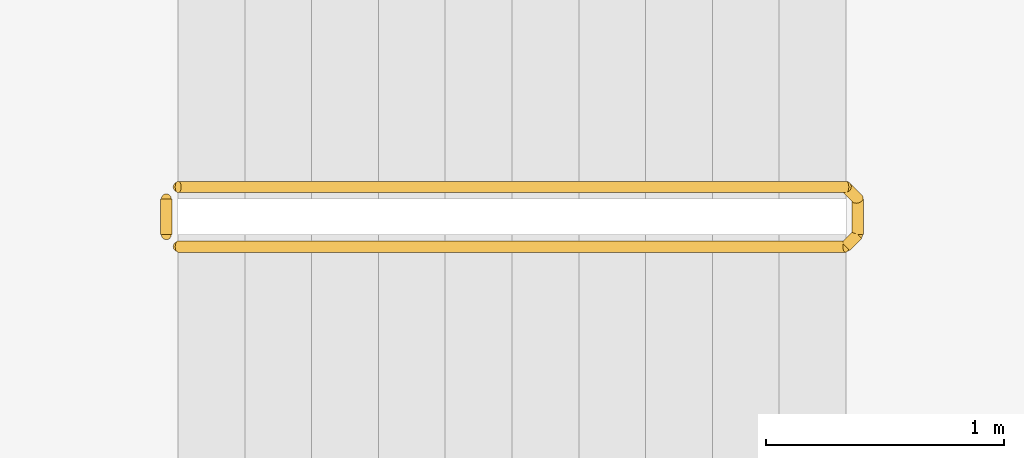
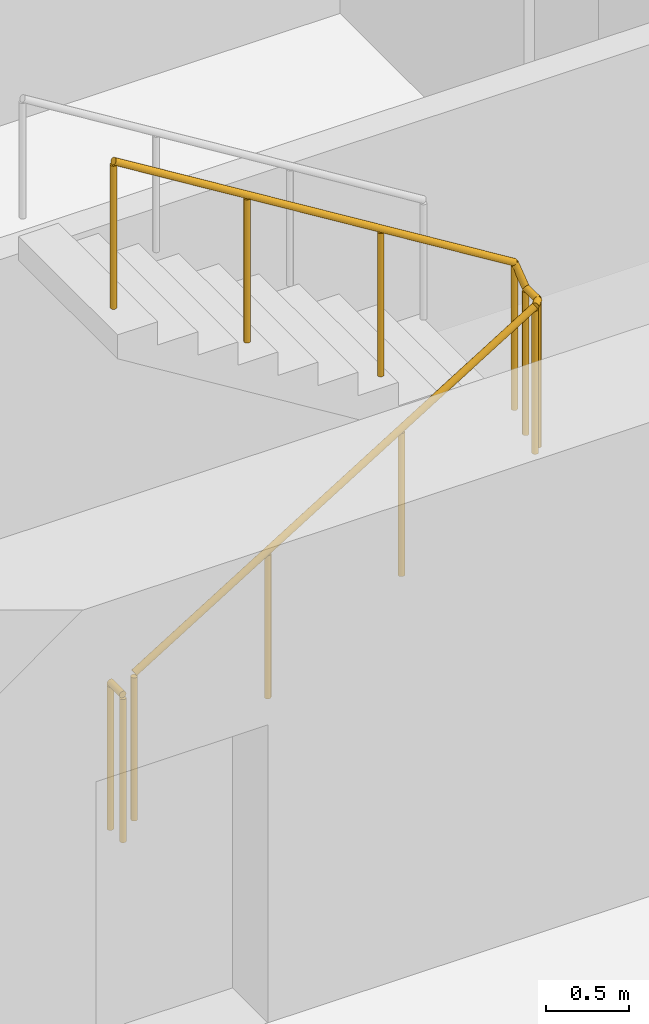
# One storey, part 10 of 14: 2 railings.
"""IFC4 building model written with IfcOpenShell, lengths in metres."""

from ifc_helpers import new_model, si_unit, direction, frame, origin, origin_2d, place, context, subcontext, project, spatial, circle, extrude, material, type_object, element, save


model = new_model("IFC4")

# Units and contexts
model_context = context("Model", 3, precision=1e-05, world=origin(), true_north=direction((0.0, 1.0)))
body_context = subcontext(model_context, "Body", "Model", "MODEL_VIEW")
ifc_project = project(units=[si_unit("LENGTHUNIT", "METRE"), si_unit("AREAUNIT", "SQUARE_METRE"), si_unit("VOLUMEUNIT", "CUBIC_METRE"), si_unit("PLANEANGLEUNIT", "RADIAN"), si_unit("MASSUNIT", "GRAM", prefix="KILO")], contexts=[model_context])

# Site, building, storey
site_placement = place(None, origin())
site = spatial("IfcSite", under=ifc_project, at=site_placement, CompositionType="ELEMENT")
building_placement = place(site_placement, origin())
building = spatial("IfcBuilding", under=site, at=building_placement, Name="Orbiselva Terraces", CompositionType="ELEMENT")
storey_placement = place(building_placement, frame((0.0, 0.0, 26.4)))
storey = spatial("IfcBuildingStorey", under=building, at=storey_placement, Name="L06", CompositionType="ELEMENT", Elevation=26.4)

# Railings
ifc_material = material(Name="Stainless steel", Category="steel")
railing_type = type_object("IfcRailingType", Name="CORE-GUARD-1100", PredefinedType="GUARDRAIL", material=ifc_material)
railing_1_placement = place(storey_placement, frame((-7.15, 6.55, 0.172727)))
element("IfcRailing", 1, at=railing_1_placement, inside=storey, type_object=railing_type, Name="L06 S3 stair guard 1", PredefinedType="GUARDRAIL", context=body_context, shape_type="SweptSolid", body=[
    extrude(circle(Radius=0.024, at=origin_2d()), frame((0.0, 0.0, 1.081), z_axis=(0.851088519012, 0.0, 0.52502222125), x_axis=(0.0, 1.0, 0.0)), (0.0, 0.0, 1.0), 3.289905),
    extrude(circle(Radius=0.024, at=origin_2d()), frame((2.8, 0.0, 2.808273), z_axis=(0.707106781187, 0.707106781187, 0.0), x_axis=(-0.707106781187, 0.707106781187, 0.0)), (0.0, 0.0, 1.0), 0.070711),
    extrude(circle(Radius=0.024, at=origin_2d()), frame((2.85, 0.05, 2.808273), z_axis=(0.0, 1.0, 0.0), x_axis=(-1.0, 0.0, 0.0)), (0.0, 0.0, 1.0), 0.15),
    extrude(circle(Radius=0.024, at=origin_2d()), frame((2.85, 0.2, 2.808273), z_axis=(-0.267894925557, 0.267894925557, 0.925453736133), x_axis=(-0.707106781187, -0.707106781187, 0.0)), (0.0, 0.0, 1.0), 0.18664),
    extrude(circle(Radius=0.024, at=origin_2d()), frame((2.8, 0.25, 2.981), z_axis=(-0.851088519012, 0.0, 0.52502222125), x_axis=(0.0, -1.0, 0.0)), (0.0, 0.0, 1.0), 3.289905),
    extrude(circle(Radius=0.021, at=origin_2d()), origin(), (0.0, 0.0, 1.0), 1.057),
    extrude(circle(Radius=0.021, at=origin_2d()), frame((0.933333, 0.0, 0.575758)), (0.0, 0.0, 1.0), 1.057),
    extrude(circle(Radius=0.021, at=origin_2d()), frame((1.866667, 0.0, 1.151515)), (0.0, 0.0, 1.0), 1.057),
    extrude(circle(Radius=0.021, at=origin_2d()), frame((2.8, 0.0, 1.727273)), (0.0, 0.0, 1.0), 1.057),
    extrude(circle(Radius=0.021, at=origin_2d()), frame((2.85, 0.05, 1.727273)), (0.0, 0.0, 1.0), 1.057),
    extrude(circle(Radius=0.021, at=origin_2d()), frame((2.85, 0.2, 1.727273)), (0.0, 0.0, 1.0), 1.057),
    extrude(circle(Radius=0.021, at=origin_2d()), frame((2.8, 0.25, 1.9)), (0.0, 0.0, 1.0), 1.057),
    extrude(circle(Radius=0.021, at=origin_2d()), frame((1.866667, 0.25, 2.475758)), (0.0, 0.0, 1.0), 1.057),
    extrude(circle(Radius=0.021, at=origin_2d()), frame((0.933333, 0.25, 3.051515)), (0.0, 0.0, 1.0), 1.057),
    extrude(circle(Radius=0.021, at=origin_2d()), frame((0.0, 0.25, 3.627273)), (0.0, 0.0, 1.0), 1.057),
])
railing_2_placement = place(storey_placement, frame((-7.2, 6.6, 0.0)))
element("IfcRailing", 2, at=railing_2_placement, inside=storey, type_object=railing_type, Name="L06 S3 stair guard 2", PredefinedType="GUARDRAIL", context=body_context, shape_type="SweptSolid", body=[
    extrude(circle(Radius=0.024, at=origin_2d()), frame((0.0, 0.0, 1.081), z_axis=(0.0, 1.0, 0.0), x_axis=(-1.0, 0.0, 0.0)), (0.0, 0.0, 1.0), 0.15),
    extrude(circle(Radius=0.021, at=origin_2d()), origin(), (0.0, 0.0, 1.0), 1.057),
    extrude(circle(Radius=0.021, at=origin_2d()), frame((0.0, 0.15, 0.0)), (0.0, 0.0, 1.0), 1.057),
])

save(model, "model.ifc")
